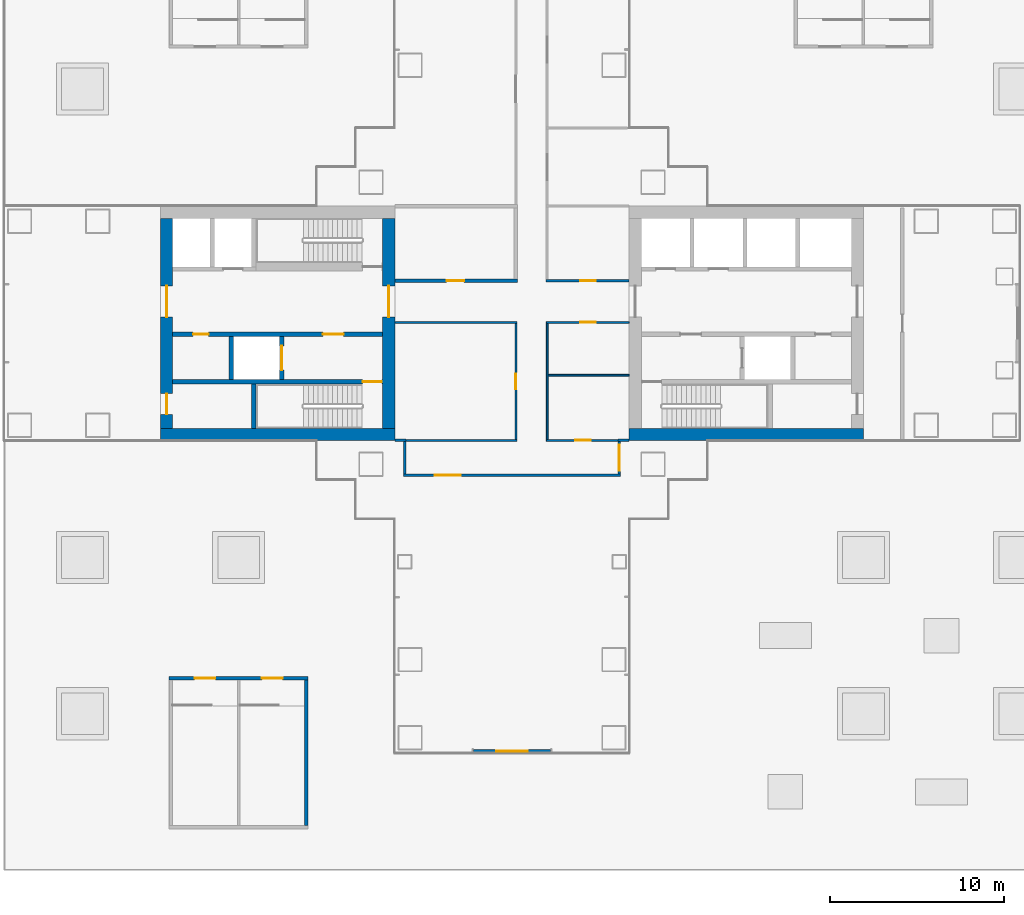
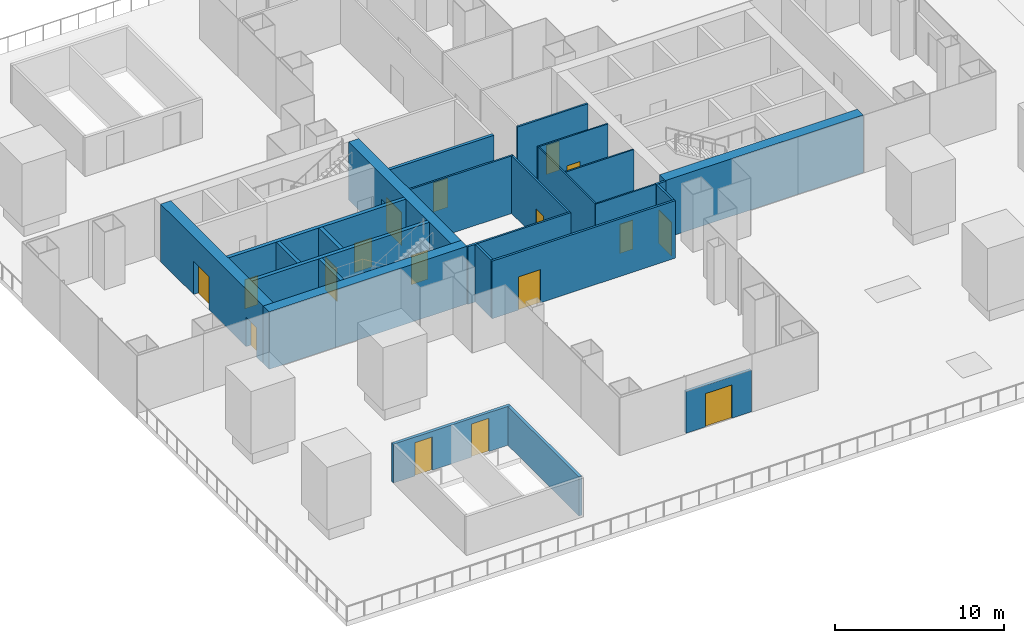
# One storey, part 14 of 23: 26 walls, 17 doors, 17 openings.
"""IFC4 building model written with IfcOpenShell, lengths in metres."""

import ifcopenshell
import ifcopenshell.guid

model = None  # the IFC model being written
_history = None  # IfcOwnerHistory: only IFC2X3 demands one
_inside = {}  # id of a spatial element -> (the spatial element, [elements in it])
_under = {}  # id of a project, library or spatial element -> (it, [spatial elements below it])
_declared = {}  # id of a project -> (the project, [libraries it declares])
_typed = {}  # id of a type object -> (the type object, [elements of that type])
_made_of = {}  # id of a material, layer set ... -> (it, [elements and type objects made of it])


def new_model(schema):
    """Start an empty IFC model of exactly this schema.

    Asked for "IFC4X3", IfcOpenShell would pick the latest addendum, in which some entities
    have other attributes; the version numbers below select the first issue.
    IFC2X3 requires an IfcOwnerHistory on every rooted entity: one is made here for all.
    """
    global model, _history
    if schema == "IFC4X3":
        model = ifcopenshell.file(schema_version=(4, 3, 0, 0))
    else:
        model = ifcopenshell.file(schema=schema)
    _inside.clear()
    _under.clear()
    _declared.clear()
    _typed.clear()
    _made_of.clear()
    _history = None
    if model.schema == "IFC2X3":
        org = make("IfcOrganization", Name="unknown")
        user = make(
            "IfcPersonAndOrganization",
            ThePerson=make("IfcPerson", FamilyName="unknown"),
            TheOrganization=org,
        )
        app = make(
            "IfcApplication",
            ApplicationDeveloper=org,
            Version="unknown",
            ApplicationFullName="unknown",
            ApplicationIdentifier="unknown",
        )
        _history = make(
            "IfcOwnerHistory",
            OwningUser=user,
            OwningApplication=app,
            ChangeAction="ADDED",
            CreationDate=0,
        )
    return model


def make(cls, **values):
    """One entity of the class cls with the attributes given. An attribute that is None is left unset."""
    return model.create_entity(
        cls, **{name: value for name, value in values.items() if value is not None}
    )


def rooted(cls, **values):
    """An entity with a GlobalId (a new one), such as an element, a storey or a relation."""
    return make(cls, GlobalId=ifcopenshell.guid.new(), OwnerHistory=_history, **values)


def si_unit(unit_type, name, prefix=None):
    """IfcSIUnit, for example si_unit("LENGTHUNIT", "METRE", prefix="MILLI")."""
    return make("IfcSIUnit", UnitType=unit_type, Prefix=prefix, Name=name)


def assignment(units):
    """IfcUnitAssignment: the units of a project."""
    return None if units is None else make("IfcUnitAssignment", Units=units)


def point(xyz):
    """IfcCartesianPoint."""
    return None if xyz is None else make("IfcCartesianPoint", Coordinates=xyz)


def direction(xyz):
    """IfcDirection."""
    return None if xyz is None else make("IfcDirection", DirectionRatios=xyz)


def frame(location, z_axis=None, x_axis=None):
    """IfcAxis2Placement3D, a coordinate frame: its origin and axes. An axis left out is left unset."""
    return make(
        "IfcAxis2Placement3D",
        Location=point(location),
        Axis=direction(z_axis),
        RefDirection=direction(x_axis),
    )


def frame_2d(location, x_axis=None):
    """IfcAxis2Placement2D, a coordinate frame in the plane: its origin and x axis."""
    return make(
        "IfcAxis2Placement2D", Location=point(location), RefDirection=direction(x_axis)
    )


def origin():
    """The frame at (0, 0, 0) with its axes left unset."""
    return frame((0.0, 0.0, 0.0))


def place(relative_to, where):
    """IfcLocalPlacement: puts the frame where relative to a parent placement (None: the world)."""
    return make(
        "IfcLocalPlacement", PlacementRelTo=relative_to, RelativePlacement=where
    )


def context(
    kind, dimensions, precision=None, world=None, true_north=None, identifier=None
):
    """IfcGeometricRepresentationContext, for example the 3D "Model" context."""
    return make(
        "IfcGeometricRepresentationContext",
        ContextIdentifier=identifier,
        ContextType=kind,
        CoordinateSpaceDimension=dimensions,
        Precision=precision,
        WorldCoordinateSystem=world,
        TrueNorth=true_north,
    )


def subcontext(parent, identifier, kind, view, scale=None):
    """IfcGeometricRepresentationSubContext, for example "Body" below "Model"."""
    return make(
        "IfcGeometricRepresentationSubContext",
        ContextIdentifier=identifier,
        ContextType=kind,
        ParentContext=parent,
        TargetScale=scale,
        TargetView=view,
    )


def project(units=None, contexts=None):
    """IfcProject with its units and contexts."""
    return rooted(
        "IfcProject",
        Name="project",
        RepresentationContexts=contexts,
        UnitsInContext=assignment(units),
    )


def spatial(cls, under=None, at=None, **own):
    """A site, building, storey or space (cls), placed at a placement, below another one or the project."""
    s = rooted(cls, ObjectPlacement=at, **own)
    if under is not None:
        _under.setdefault(under.id(), (under, []))[1].append(s)
    return s


def profile(cls, at=None, kind="AREA", **sizes):
    """A parametric profile (cls). Its sizes go by their IFC names, for example OverallWidth=200.0."""
    return make(cls, ProfileType=kind, Position=at, **sizes)


def rectangle(**sizes):
    """IfcRectangleProfileDef."""
    return profile("IfcRectangleProfileDef", **sizes)


def extrude(swept, where, along, depth):
    """IfcExtrudedAreaSolid: the profile swept, set in the frame where, extruded along a direction by depth."""
    return make(
        "IfcExtrudedAreaSolid",
        SweptArea=swept,
        Position=where,
        ExtrudedDirection=direction(along),
        Depth=depth,
    )


def shape(context_of_items, identifier, shape_type, items):
    """IfcShapeRepresentation: the items that make up one representation, for example the "Body"."""
    return make(
        "IfcShapeRepresentation",
        ContextOfItems=context_of_items,
        RepresentationIdentifier=identifier,
        RepresentationType=shape_type,
        Items=items,
    )


def material(Name=None, Category=None):
    """IfcMaterial."""
    return make("IfcMaterial", Name=Name, Category=Category)


def layer(
    of_material, thickness, ventilated=None, Name=None, Category=None, Priority=None
):
    """IfcMaterialLayer: one layer of a wall or slab, of a material (None: an air gap)."""
    return make(
        "IfcMaterialLayer",
        Material=of_material,
        LayerThickness=thickness,
        IsVentilated=ventilated,
        Name=Name,
        Category=Category,
        Priority=Priority,
    )


def layer_set(layers, Name=None):
    """IfcMaterialLayerSet."""
    return make("IfcMaterialLayerSet", MaterialLayers=layers, LayerSetName=Name)


def made_of(thing, what):
    """Note that an element or type object is made of a material, layer set ...; save() writes the relation."""
    if what is not None:
        _made_of.setdefault(what.id(), (what, []))[1].append(thing)
    return thing


def type_object(cls, material=None, **own):
    """A type object (cls), such as IfcWallType, which elements share."""
    return made_of(rooted(cls, **own), material)


def element(
    cls,
    number,
    at=None,
    inside=None,
    cuts=None,
    type_object=None,
    material=None,
    context=None,
    identifier="Body",
    shape_type=None,
    held_by="IfcProductDefinitionShape",
    body=None,
    shapes=None,
    **own,
):
    """One element of the class cls, such as IfcWall. Its Tag is "e" and its number.

    at: its placement. inside: the storey or other place that contains it. cuts: it is an
    opening in that element (IfcRelVoidsElement). A single representation is given by context,
    identifier, shape_type and body (its items); several are given by shapes. held_by: the class
    of the entity that holds the representations. save() writes the other relations.
    """
    e = rooted(cls, Tag="e%d" % number, ObjectPlacement=at, **own)
    if body is not None:
        shapes = [shape(context, identifier, shape_type, body)]
    if shapes is not None:
        e.Representation = make(held_by, Representations=shapes)
    if inside is not None:
        _inside.setdefault(inside.id(), (inside, []))[1].append(e)
    if cuts is not None:
        rooted(
            "IfcRelVoidsElement", RelatingBuildingElement=cuts, RelatedOpeningElement=e
        )
    if type_object is not None:
        _typed.setdefault(type_object.id(), (type_object, []))[1].append(e)
    return made_of(e, material)


def fill(opening, filler):
    """IfcRelFillsElement: the door or window that sits in an opening."""
    return rooted(
        "IfcRelFillsElement",
        RelatingOpeningElement=opening,
        RelatedBuildingElement=filler,
    )


def aggregate(whole, parts):
    """IfcRelAggregates: a whole, such as a stair, and the parts it consists of."""
    return rooted("IfcRelAggregates", RelatingObject=whole, RelatedObjects=parts)


def save(model, path):
    """Write the relations noted so far, then the file.

    IfcRelAggregates (storeys below a building ...), IfcRelContainedInSpatialStructure (elements
    in a storey), IfcRelDefinesByType, IfcRelAssociatesMaterial and IfcRelDeclares: one each for
    every whole, place, type object, material and project.
    """
    for whole, parts in _under.values():
        aggregate(whole, parts)
    for where, things in _inside.values():
        rooted(
            "IfcRelContainedInSpatialStructure",
            RelatedElements=things,
            RelatingStructure=where,
        )
    for kind, things in _typed.values():
        rooted("IfcRelDefinesByType", RelatedObjects=things, RelatingType=kind)
    for what, things in _made_of.values():
        rooted("IfcRelAssociatesMaterial", RelatedObjects=things, RelatingMaterial=what)
    for by, libraries in _declared.values():
        rooted("IfcRelDeclares", RelatingContext=by, RelatedDefinitions=libraries)
    model.write(path)


model = new_model("IFC4")

# Units and contexts
model_context = context("Model", 3, precision=1e-05, world=origin(), true_north=direction((0.0, 1.0)))
body_context = subcontext(model_context, "Body", "Model", "MODEL_VIEW")
ifc_project = project(units=[si_unit("LENGTHUNIT", "METRE"), si_unit("AREAUNIT", "SQUARE_METRE"), si_unit("VOLUMEUNIT", "CUBIC_METRE"), si_unit("PLANEANGLEUNIT", "RADIAN"), si_unit("MASSUNIT", "GRAM", prefix="KILO")], contexts=[model_context])

# Site, building, storey
site_placement = place(None, origin())
site = spatial("IfcSite", under=ifc_project, at=site_placement, CompositionType="ELEMENT")
building_placement = place(site_placement, origin())
building = spatial("IfcBuilding", under=site, at=building_placement, Name="Shamsa Quay Exchange Towers", CompositionType="ELEMENT")
storey_placement = place(building_placement, frame((0.0, 0.0, 28.5)))
storey = spatial("IfcBuildingStorey", under=building, at=storey_placement, Name="L05", CompositionType="ELEMENT", Elevation=28.5)

# Walls
ifc_material_1 = material(Name="Concrete C80/95", Category="concrete")
ifc_layer_1 = layer(ifc_material_1, 0.699951171875)
ifc_layer_set_1 = layer_set([ifc_layer_1], Name="CORE WALL 700 C80/95")
wall_type_1 = type_object("IfcWallType", Name="CORE WALL 700 C80/95", PredefinedType="SHEAR", material=ifc_layer_set_1)
wall_1_placement = place(storey_placement, frame((-27.0, -6.39990234375, 0.0)))
element("IfcWall", 1, at=wall_1_placement, inside=storey, type_object=wall_type_1, Name="Core wall T1A-R01-PS", PredefinedType="SHEAR", context=body_context, shape_type="SweptSolid", body=[
    extrude(rectangle(XDim=13.5, YDim=0.699951171875, at=frame_2d((6.75, 0.0))), origin(), (0.0, 0.0, 1.0), 4.14990234375),
])
wall_2_placement = place(storey_placement, frame((-40.5, -6.39990234375, 0.0), z_axis=(0.0, 0.0, 1.0), x_axis=(-1.0, 0.0, 0.0)))
element("IfcWall", 2, at=wall_2_placement, inside=storey, type_object=wall_type_1, Name="Core wall T1B-R01-PS", PredefinedType="SHEAR", context=body_context, shape_type="SweptSolid", body=[
    extrude(rectangle(XDim=13.5, YDim=0.699951171875, at=frame_2d((6.75, 0.0))), origin(), (0.0, 0.0, 1.0), 4.14990234375),
])

# Wall, opening, door
wall_3_placement = place(storey_placement, frame((-40.85009765625, -6.050048828125, 0.0), z_axis=(0.0, 0.0, 1.0), x_axis=(0.0, 1.0, 0.0)))
wall_3 = element("IfcWall", 3, at=wall_3_placement, inside=storey, type_object=wall_type_1, Name="Core wall T1B-R01-PF", PredefinedType="SHEAR", context=body_context, shape_type="SweptSolid", body=[
    extrude(rectangle(XDim=12.10009765625, YDim=0.699951171875, at=frame_2d((6.050048828125, 0.0))), origin(), (0.0, 0.0, 1.0), 4.14990234375),
])
opening_1_placement = place(wall_3_placement, frame((6.39990234375, 0.0, 0.0)))
opening_1 = element("IfcOpeningElement", 4, at=opening_1_placement, cuts=wall_3, Name="Opening T1B-R01-LBD01", PredefinedType="OPENING", context=body_context, shape_type="SweptSolid", body=[
    extrude(rectangle(XDim=1.800048828125, YDim=2.39990234375, at=frame_2d((0.89990234375, 1.199951171875))), frame((0.0, 0.35986328125, 0.0), z_axis=(0.0, -1.0, 0.0), x_axis=(1.0, 0.0, 0.0)), (0.0, 0.0, 1.0), 0.719970703125),
])
ifc_material_2 = material(Name="Steel, fire rated", Category="steel")
door_type_1 = type_object("IfcDoorType", Name="LIFT LOBBY DOOR PAIR 1800", OperationType="DOUBLE_DOOR_SINGLE_SWING", PredefinedType="DOOR", material=ifc_material_2)
door_1_placement = place(opening_1_placement, origin())
door_1 = element("IfcDoor", 5, at=door_1_placement, inside=storey, type_object=door_type_1, Name="T1B-R01-LBD01", OperationType="DOUBLE_DOOR_SINGLE_SWING", OverallHeight=2.39990234375, OverallWidth=1.800048828125, PredefinedType="DOOR", context=body_context, shape_type="SweptSolid", body=[
    extrude(rectangle(XDim=1.800048828125, YDim=2.39990234375, at=frame_2d((0.89990234375, 1.199951171875))), frame((0.0, 0.02490234375, 0.0), z_axis=(0.0, -1.0, 0.0), x_axis=(1.0, 0.0, 0.0)), (0.0, 0.0, 1.0), 0.050048828125),
])
fill(opening_1, door_1)

# Wall, openings, doors
wall_4_placement = place(storey_placement, frame((-53.64990234375, -6.050048828125, 0.0), z_axis=(0.0, 0.0, 1.0), x_axis=(0.0, 1.0, 0.0)))
wall_4 = element("IfcWall", 6, at=wall_4_placement, inside=storey, type_object=wall_type_1, Name="Core wall T1B-R01-PB", PredefinedType="SHEAR", context=body_context, shape_type="SweptSolid", body=[
    extrude(rectangle(XDim=12.10009765625, YDim=0.699951171875, at=frame_2d((6.050048828125, 0.0))), origin(), (0.0, 0.0, 1.0), 4.14990234375),
])
opening_2_placement = place(wall_4_placement, frame((0.800048828125, 0.0, 0.0)))
opening_2 = element("IfcOpeningElement", 7, at=opening_2_placement, cuts=wall_4, Name="Opening T1B-R01-RD02", PredefinedType="OPENING", context=body_context, shape_type="SweptSolid", body=[
    extrude(rectangle(XDim=1.199951171875, YDim=2.10009765625, at=frame_2d((0.60009765625, 1.050048828125))), frame((0.0, 0.35986328125, 0.0), z_axis=(0.0, -1.0, 0.0), x_axis=(1.0, 0.0, 0.0)), (0.0, 0.0, 1.0), 0.719970703125),
])
opening_3_placement = place(wall_4_placement, frame((6.39990234375, 0.0, 0.0)))
opening_3 = element("IfcOpeningElement", 8, at=opening_3_placement, cuts=wall_4, Name="Opening T1B-R01-LBD03", PredefinedType="OPENING", context=body_context, shape_type="SweptSolid", body=[
    extrude(rectangle(XDim=1.800048828125, YDim=2.39990234375, at=frame_2d((0.89990234375, 1.199951171875))), frame((0.0, 0.35986328125, 0.0), z_axis=(0.0, -1.0, 0.0), x_axis=(1.0, 0.0, 0.0)), (0.0, 0.0, 1.0), 0.719970703125),
])
door_2_placement = place(opening_3_placement, origin())
door_2 = element("IfcDoor", 9, at=door_2_placement, inside=storey, type_object=door_type_1, Name="T1B-R01-LBD03", OperationType="DOUBLE_DOOR_SINGLE_SWING", OverallHeight=2.39990234375, OverallWidth=1.800048828125, PredefinedType="DOOR", context=body_context, shape_type="SweptSolid", body=[
    extrude(rectangle(XDim=1.800048828125, YDim=2.39990234375, at=frame_2d((0.89990234375, 1.199951171875))), frame((0.0, 0.02490234375, 0.0), z_axis=(0.0, -1.0, 0.0), x_axis=(1.0, 0.0, 0.0)), (0.0, 0.0, 1.0), 0.050048828125),
])
fill(opening_3, door_2)
door_type_2 = type_object("IfcDoorType", Name="RISER ACCESS DOOR 1200", OperationType="SINGLE_SWING_LEFT", PredefinedType="DOOR", material=ifc_material_2)
door_3_placement = place(opening_2_placement, origin())
door_3 = element("IfcDoor", 10, at=door_3_placement, inside=storey, type_object=door_type_2, Name="T1B-R01-RD02", OperationType="SINGLE_SWING_LEFT", OverallHeight=2.10009765625, OverallWidth=1.199951171875, PredefinedType="DOOR", context=body_context, shape_type="SweptSolid", body=[
    extrude(rectangle(XDim=1.199951171875, YDim=2.10009765625, at=frame_2d((0.60009765625, 1.050048828125))), frame((0.0, 0.02490234375, 0.0), z_axis=(0.0, -1.0, 0.0), x_axis=(1.0, 0.0, 0.0)), (0.0, 0.0, 1.0), 0.050048828125),
])
fill(opening_2, door_3)

# Wall, opening, door
ifc_material_3 = material(Name="Aluminium EN AW-6063 T6, black anodised, with black enamelled glass infill", Category="aluminium")
ifc_layer_2 = layer(ifc_material_3, 0.199951171875)
ifc_layer_set_2 = layer_set([ifc_layer_2], Name="ENTRANCE DOOR BAY WALL 200")
wall_type_2 = type_object("IfcWallType", Name="ENTRANCE DOOR BAY WALL 200", PredefinedType="SOLIDWALL", material=ifc_layer_set_2)
wall_5_placement = place(storey_placement, frame((-31.530029296875, -24.64990234375, 0.0), z_axis=(0.0, 0.0, 1.0), x_axis=(-1.0, 0.0, 0.0)))
wall_5 = element("IfcWall", 11, at=wall_5_placement, inside=storey, type_object=wall_type_2, Name="Entrance bay T1 L05 T1-END-V- bay 2", PredefinedType="SOLIDWALL", context=body_context, shape_type="SweptSolid", body=[
    extrude(rectangle(XDim=4.43994140625, YDim=0.199951171875, at=frame_2d((2.219970703125, 0.0))), origin(), (0.0, 0.0, 1.0), 3.0),
])
opening_4_placement = place(wall_5_placement, frame((1.320068359375, 0.0, 0.0)))
opening_4 = element("IfcOpeningElement", 12, at=opening_4_placement, cuts=wall_5, Name="Opening XD037", PredefinedType="OPENING", context=body_context, shape_type="SweptSolid", body=[
    extrude(rectangle(XDim=1.800048828125, YDim=2.39990234375, at=frame_2d((0.89990234375, 1.199951171875))), frame((0.0, 0.10986328125, 0.0), z_axis=(0.0, -1.0, 0.0), x_axis=(1.0, 0.0, 0.0)), (0.0, 0.0, 1.0), 0.219970703125),
])
ifc_material_4 = material(Name="Aluminium EN AW-6063 T6, black anodised, with laminated glass leaves", Category="aluminium")
door_type_3 = type_object("IfcDoorType", Name="TERRACE DOOR 1800x2400", OperationType="DOUBLE_DOOR_SINGLE_SWING", PredefinedType="DOOR", material=ifc_material_4)
door_4_placement = place(opening_4_placement, origin())
door_4 = element("IfcDoor", 13, at=door_4_placement, inside=storey, type_object=door_type_3, Name="Terrace door T1 L05 T1-END-V- bay 2", OperationType="DOUBLE_DOOR_SINGLE_SWING", OverallHeight=2.39990234375, OverallWidth=1.800048828125, PredefinedType="DOOR", context=body_context, shape_type="SweptSolid", body=[
    extrude(rectangle(XDim=1.800048828125, YDim=2.39990234375, at=frame_2d((0.89990234375, 1.199951171875))), frame((0.0, 0.02490234375, 0.0), z_axis=(0.0, -1.0, 0.0), x_axis=(1.0, 0.0, 0.0)), (0.0, 0.0, 1.0), 0.050048828125),
])
fill(opening_4, door_4)

ifc_material_5 = material(Name="Laminated fire-resisting glass in a metal frame", Category="glass")
ifc_layer_3 = layer(ifc_material_5, 0.125)
ifc_layer_set_3 = layer_set([ifc_layer_3], Name="Glazed partition 125 mm EI 60")
wall_type_3 = type_object("IfcWallType", Name="Glazed partition 125 mm EI 60", PredefinedType="PARTITIONING", material=ifc_layer_set_3)
wall_6_placement = place(storey_placement, frame((-31.787109375, 2.4501953125, 0.0)))
wall_6 = element("IfcWall", 14, at=wall_6_placement, inside=storey, type_object=wall_type_3, Name="Partition T1-R01-W03", PredefinedType="PARTITIONING", context=body_context, shape_type="SweptSolid", body=[
    extrude(rectangle(XDim=4.787109375, YDim=0.125, at=frame_2d((2.3935546875, 0.0))), origin(), (0.0, 0.0, 1.0), 4.14990234375),
])
opening_5_placement = place(wall_6_placement, frame((1.974853515625, 0.0, 0.0)))
opening_5 = element("IfcOpeningElement", 15, at=opening_5_placement, cuts=wall_6, Name="Opening T1-R01-D07", PredefinedType="OPENING", context=body_context, shape_type="SweptSolid", body=[
    extrude(rectangle(XDim=0.89990234375, YDim=2.10009765625, at=frame_2d((0.449951171875, 1.050048828125))), frame((0.0, 0.072509765625, 0.0), z_axis=(0.0, -1.0, 0.0), x_axis=(1.0, 0.0, 0.0)), (0.0, 0.0, 1.0), 0.14501953125),
])
ifc_material_6 = material(Name="Timber door leaf in a metal frame", Category="wood")
door_type_4 = type_object("IfcDoorType", Name="Door 900x2100 FD30S", OperationType="NOTDEFINED", PredefinedType="DOOR", material=ifc_material_6)
door_5_placement = place(opening_5_placement, origin())
door_5 = element("IfcDoor", 16, at=door_5_placement, inside=storey, type_object=door_type_4, Name="Door T1-R01-D07", OperationType="SINGLE_SWING_LEFT", OverallHeight=2.10009765625, OverallWidth=0.89990234375, PredefinedType="DOOR", context=body_context, shape_type="SweptSolid", body=[
    extrude(rectangle(XDim=0.89990234375, YDim=2.10009765625, at=frame_2d((0.449951171875, 1.050048828125))), frame((0.0, 0.02490234375, 0.0), z_axis=(0.0, -1.0, 0.0), x_axis=(1.0, 0.0, 0.0)), (0.0, 0.0, 1.0), 0.050048828125),
])
fill(opening_5, door_5)

# Wall
wall_7_placement = place(storey_placement, frame((-39.999755859375, -6.75, 0.0)))
element("IfcWall", 17, at=wall_7_placement, inside=storey, type_object=wall_type_3, Name="Partition T1-R01-W09", PredefinedType="PARTITIONING", context=body_context, shape_type="SweptSolid", body=[
    extrude(rectangle(XDim=6.536865234375, YDim=0.125, at=frame_2d((3.2685546875, 0.0))), origin(), (0.0, 0.0, 1.0), 4.14990234375),
])

# Wall, opening, door
wall_8_placement = place(storey_placement, frame((-33.525390625, -6.6875, 0.0), z_axis=(0.0, 0.0, 1.0), x_axis=(0.0, 1.0, 0.0)))
wall_8 = element("IfcWall", 18, at=wall_8_placement, inside=storey, type_object=wall_type_3, Name="Partition T1-R01-W10", PredefinedType="PARTITIONING", context=body_context, shape_type="SweptSolid", body=[
    extrude(rectangle(XDim=6.6748046875, YDim=0.125, at=frame_2d((3.33740234375, 0.0))), origin(), (0.0, 0.0, 1.0), 4.14990234375),
])
opening_6_placement = place(wall_8_placement, frame((2.887451171875, 0.0, 0.0)))
opening_6 = element("IfcOpeningElement", 19, at=opening_6_placement, cuts=wall_8, Name="Opening T1-R01-D03", PredefinedType="OPENING", context=body_context, shape_type="SweptSolid", body=[
    extrude(rectangle(XDim=0.89990234375, YDim=2.10009765625, at=frame_2d((0.449951171875, 1.050048828125))), frame((0.0, 0.072509765625, 0.0), z_axis=(0.0, -1.0, 0.0), x_axis=(1.0, 0.0, 0.0)), (0.0, 0.0, 1.0), 0.14501953125),
])
door_6_placement = place(opening_6_placement, origin())
door_6 = element("IfcDoor", 20, at=door_6_placement, inside=storey, type_object=door_type_4, Name="Door T1-R01-D03", OperationType="SINGLE_SWING_RIGHT", OverallHeight=2.10009765625, OverallWidth=0.89990234375, PredefinedType="DOOR", context=body_context, shape_type="SweptSolid", body=[
    extrude(rectangle(XDim=0.89990234375, YDim=2.10009765625, at=frame_2d((0.449951171875, 1.050048828125))), frame((0.0, 0.02490234375, 0.0), z_axis=(0.0, -1.0, 0.0), x_axis=(1.0, 0.0, 0.0)), (0.0, 0.0, 1.0), 0.050048828125),
])
fill(opening_6, door_6)

# Walls
wall_9_placement = place(storey_placement, frame((-33.462890625, 0.0498046875, 0.0), z_axis=(0.0, 0.0, 1.0), x_axis=(-1.0, 0.0, 0.0)))
element("IfcWall", 21, at=wall_9_placement, inside=storey, type_object=wall_type_3, Name="Partition T1-R01-W12", PredefinedType="PARTITIONING", context=body_context, shape_type="SweptSolid", body=[
    extrude(rectangle(XDim=7.037109375, YDim=0.125, at=frame_2d((3.5185546875, 0.0))), origin(), (0.0, 0.0, 1.0), 4.14990234375),
])
ifc_material_7 = material(Name="Gypsum board partition on metal studs")
ifc_layer_4 = layer(ifc_material_7, 0.10009765625)
ifc_layer_set_4 = layer_set([ifc_layer_4], Name="Partition 100 mm NOT RATED")
wall_type_4 = type_object("IfcWallType", Name="Partition 100 mm NOT RATED", PredefinedType="PARTITIONING", material=ifc_layer_set_4)
wall_10_placement = place(storey_placement, frame((-31.724609375, -0.000244140625, 0.0), z_axis=(0.0, 0.0, 1.0), x_axis=(0.0, -1.0, 0.0)))
element("IfcWall", 22, at=wall_10_placement, inside=storey, type_object=wall_type_4, Name="Partition T1-R01-W04", PredefinedType="PARTITIONING", context=body_context, shape_type="SweptSolid", body=[
    extrude(rectangle(XDim=6.69970703125, YDim=0.10009765625, at=frame_2d((3.349853515625, 0.0))), origin(), (0.0, 0.0, 1.0), 4.14990234375),
])

# Wall, opening, door
wall_11_placement = place(storey_placement, frame((-31.774658203125, -6.75, 0.0)))
wall_11 = element("IfcWall", 23, at=wall_11_placement, inside=storey, type_object=wall_type_4, Name="Partition T1-R01-W05", PredefinedType="PARTITIONING", context=body_context, shape_type="SweptSolid", body=[
    extrude(rectangle(XDim=4.2744140625, YDim=0.10009765625, at=frame_2d((2.13720703125, 0.0))), origin(), (0.0, 0.0, 1.0), 4.14990234375),
])
opening_7_placement = place(wall_11_placement, frame((1.6748046875, 0.0, 0.0)))
opening_7 = element("IfcOpeningElement", 24, at=opening_7_placement, cuts=wall_11, Name="Opening T1-R01-D06", PredefinedType="OPENING", context=body_context, shape_type="SweptSolid", body=[
    extrude(rectangle(XDim=0.89990234375, YDim=2.10009765625, at=frame_2d((0.449951171875, 1.050048828125))), frame((0.0, 0.06005859375, 0.0), z_axis=(0.0, -1.0, 0.0), x_axis=(1.0, 0.0, 0.0)), (0.0, 0.0, 1.0), 0.1201171875),
])
door_type_5 = type_object("IfcDoorType", Name="Door 900x2100 NOT RATED", OperationType="NOTDEFINED", PredefinedType="DOOR", material=ifc_material_6)
door_7_placement = place(opening_7_placement, origin())
door_7 = element("IfcDoor", 25, at=door_7_placement, inside=storey, type_object=door_type_5, Name="Door T1-R01-D06", OperationType="SINGLE_SWING_RIGHT", OverallHeight=2.10009765625, OverallWidth=0.89990234375, PredefinedType="DOOR", context=body_context, shape_type="SweptSolid", body=[
    extrude(rectangle(XDim=0.89990234375, YDim=2.10009765625, at=frame_2d((0.449951171875, 1.050048828125))), frame((0.0, 0.02490234375, 0.0), z_axis=(0.0, -1.0, 0.0), x_axis=(1.0, 0.0, 0.0)), (0.0, 0.0, 1.0), 0.050048828125),
])
fill(opening_7, door_7)

wall_12_placement = place(storey_placement, frame((-27.0, 0.0498046875, 0.0), z_axis=(0.0, 0.0, 1.0), x_axis=(-1.0, 0.0, 0.0)))
wall_12 = element("IfcWall", 26, at=wall_12_placement, inside=storey, type_object=wall_type_4, Name="Partition T1-R01-W06", PredefinedType="PARTITIONING", context=body_context, shape_type="SweptSolid", body=[
    extrude(rectangle(XDim=4.774658203125, YDim=0.10009765625, at=frame_2d((2.38720703125, 0.0))), origin(), (0.0, 0.0, 1.0), 4.14990234375),
])
opening_8_placement = place(wall_12_placement, frame((1.912353515625, 0.0, 0.0)))
opening_8 = element("IfcOpeningElement", 27, at=opening_8_placement, cuts=wall_12, Name="Opening T1-R01-D11", PredefinedType="OPENING", context=body_context, shape_type="SweptSolid", body=[
    extrude(rectangle(XDim=0.89990234375, YDim=2.10009765625, at=frame_2d((0.449951171875, 1.050048828125))), frame((0.0, 0.06005859375, 0.0), z_axis=(0.0, -1.0, 0.0), x_axis=(1.0, 0.0, 0.0)), (0.0, 0.0, 1.0), 0.1201171875),
])
door_8_placement = place(opening_8_placement, origin())
door_8 = element("IfcDoor", 28, at=door_8_placement, inside=storey, type_object=door_type_5, Name="Door T1-R01-D11", OperationType="SINGLE_SWING_LEFT", OverallHeight=2.10009765625, OverallWidth=0.89990234375, PredefinedType="DOOR", context=body_context, shape_type="SweptSolid", body=[
    extrude(rectangle(XDim=0.89990234375, YDim=2.10009765625, at=frame_2d((0.449951171875, 1.050048828125))), frame((0.0, 0.02490234375, 0.0), z_axis=(0.0, -1.0, 0.0), x_axis=(1.0, 0.0, 0.0)), (0.0, 0.0, 1.0), 0.050048828125),
])
fill(opening_8, door_8)

# Wall
wall_13_placement = place(storey_placement, frame((-27.0, -3.0, 0.0), z_axis=(0.0, 0.0, 1.0), x_axis=(-1.0, 0.0, 0.0)))
element("IfcWall", 29, at=wall_13_placement, inside=storey, type_object=wall_type_4, Name="Partition T1-R01-W20", PredefinedType="PARTITIONING", context=body_context, shape_type="SweptSolid", body=[
    extrude(rectangle(XDim=4.674560546875, YDim=0.10009765625, at=frame_2d((2.33740234375, 0.0))), origin(), (0.0, 0.0, 1.0), 4.14990234375),
])

# Wall, opening, door
ifc_layer_5 = layer(ifc_material_7, 0.14990234375)
ifc_layer_set_5 = layer_set([ifc_layer_5], Name="Partition 150 mm EI 60")
wall_type_5 = type_object("IfcWallType", Name="Partition 150 mm EI 60", PredefinedType="PARTITIONING", material=ifc_layer_set_5)
wall_14_placement = place(storey_placement, frame((-27.5751953125, -8.675048828125, 0.0), z_axis=(0.0, 0.0, 1.0), x_axis=(0.0, 1.0, 0.0)))
wall_14 = element("IfcWall", 30, at=wall_14_placement, inside=storey, type_object=wall_type_5, Name="Partition T1-R01-W15", PredefinedType="PARTITIONING", context=body_context, shape_type="SweptSolid", body=[
    extrude(rectangle(XDim=1.85009765625, YDim=0.14990234375, at=frame_2d((0.925048828125, 0.0))), origin(), (0.0, 0.0, 1.0), 4.14990234375),
])
opening_9_placement = place(wall_14_placement, frame((0.175048828125, 0.0, 0.0)))
opening_9 = element("IfcOpeningElement", 31, at=opening_9_placement, cuts=wall_14, Name="Opening T1-R01-D10", PredefinedType="OPENING", context=body_context, shape_type="SweptSolid", body=[
    extrude(rectangle(XDim=1.5, YDim=2.39990234375, at=frame_2d((0.75, 1.199951171875))), frame((0.0, 0.0849609375, 0.0), z_axis=(0.0, -1.0, 0.0), x_axis=(1.0, 0.0, 0.0)), (0.0, 0.0, 1.0), 0.169921875),
])
door_type_6 = type_object("IfcDoorType", Name="Door 1500x2400 FD30S pair", OperationType="NOTDEFINED", PredefinedType="DOOR", material=ifc_material_6)
door_9_placement = place(opening_9_placement, origin())
door_9 = element("IfcDoor", 32, at=door_9_placement, inside=storey, type_object=door_type_6, Name="Door T1-R01-D10", OperationType="DOUBLE_DOOR_SINGLE_SWING", OverallHeight=2.39990234375, OverallWidth=1.5, PredefinedType="DOOR", context=body_context, shape_type="SweptSolid", body=[
    extrude(rectangle(XDim=1.5, YDim=2.39990234375, at=frame_2d((0.75, 1.199951171875))), frame((0.0, 0.02490234375, 0.0), z_axis=(0.0, -1.0, 0.0), x_axis=(1.0, 0.0, 0.0)), (0.0, 0.0, 1.0), 0.050048828125),
])
fill(opening_9, door_9)

wall_15_placement = place(storey_placement, frame((-39.999755859375, -8.75, 0.0)))
wall_15 = element("IfcWall", 33, at=wall_15_placement, inside=storey, type_object=wall_type_5, Name="Partition T1-R01-W16", PredefinedType="PARTITIONING", context=body_context, shape_type="SweptSolid", body=[
    extrude(rectangle(XDim=12.49951171875, YDim=0.14990234375, at=frame_2d((6.249755859375, 0.0))), origin(), (0.0, 0.0, 1.0), 4.14990234375),
])
opening_10_placement = place(wall_15_placement, frame((1.794921875, 0.0, 0.0)))
opening_10 = element("IfcOpeningElement", 34, at=opening_10_placement, cuts=wall_15, Name="Opening T1-R01-D02", PredefinedType="OPENING", context=body_context, shape_type="SweptSolid", body=[
    extrude(rectangle(XDim=1.5, YDim=2.39990234375, at=frame_2d((0.75, 1.199951171875))), frame((0.0, 0.0849609375, 0.0), z_axis=(0.0, -1.0, 0.0), x_axis=(1.0, 0.0, 0.0)), (0.0, 0.0, 1.0), 0.169921875),
])
door_10_placement = place(opening_10_placement, origin())
door_10 = element("IfcDoor", 35, at=door_10_placement, inside=storey, type_object=door_type_6, Name="Door T1-R01-D02", OperationType="DOUBLE_DOOR_SINGLE_SWING", OverallHeight=2.39990234375, OverallWidth=1.5, PredefinedType="DOOR", context=body_context, shape_type="SweptSolid", body=[
    extrude(rectangle(XDim=1.5, YDim=2.39990234375, at=frame_2d((0.75, 1.199951171875))), frame((0.0, 0.02490234375, 0.0), z_axis=(0.0, -1.0, 0.0), x_axis=(1.0, 0.0, 0.0)), (0.0, 0.0, 1.0), 0.050048828125),
])
fill(opening_10, door_10)

# Walls
wall_16_placement = place(storey_placement, frame((-39.9248046875, -6.824951171875, 0.0), z_axis=(0.0, 0.0, 1.0), x_axis=(0.0, -1.0, 0.0)))
element("IfcWall", 36, at=wall_16_placement, inside=storey, type_object=wall_type_5, Name="Partition T1-R01-W17", PredefinedType="PARTITIONING", context=body_context, shape_type="SweptSolid", body=[
    extrude(rectangle(XDim=1.85009765625, YDim=0.14990234375, at=frame_2d((0.925048828125, 0.0))), origin(), (0.0, 0.0, 1.0), 4.14990234375),
])
for number, where, name in (
    (37, (-40.5, -6.75, 0.0), "Partition T1-R01-W21"),
    (38, (-27.650146484375, -6.75, 0.0), "Partition T1-R01-W22"),
):
    element("IfcWall", number, at=place(storey_placement, frame(where)), inside=storey, type_object=wall_type_5, Name=name, PredefinedType="PARTITIONING", context=body_context, shape_type="SweptSolid", body=[
        extrude(rectangle(XDim=0.650146484375, YDim=0.14990234375, at=frame_2d((0.3251953125, 0.0))), origin(), (0.0, 0.0, 1.0), 4.14990234375),
    ])

# Wall, opening, door
ifc_layer_6 = layer(ifc_material_7, 0.199951171875)
ifc_layer_set_6 = layer_set([ifc_layer_6], Name="Partition 200 mm EI 120")
wall_type_6 = type_object("IfcWallType", Name="Partition 200 mm EI 120", PredefinedType="PARTITIONING", material=ifc_layer_set_6)
wall_17_placement = place(storey_placement, frame((-40.5, 2.4501953125, 0.0)))
wall_17 = element("IfcWall", 39, at=wall_17_placement, inside=storey, type_object=wall_type_6, Name="Partition T1-R01-W07", PredefinedType="PARTITIONING", context=body_context, shape_type="SweptSolid", body=[
    extrude(rectangle(XDim=7.07470703125, YDim=0.199951171875, at=frame_2d((3.537353515625, 0.0))), origin(), (0.0, 0.0, 1.0), 4.14990234375),
])
opening_11_placement = place(wall_17_placement, frame((2.9873046875, 0.0, 0.0)))
opening_11 = element("IfcOpeningElement", 40, at=opening_11_placement, cuts=wall_17, Name="Opening T1-R01-D01", PredefinedType="OPENING", context=body_context, shape_type="SweptSolid", body=[
    extrude(rectangle(XDim=1.0, YDim=2.10009765625, at=frame_2d((0.5, 1.050048828125))), frame((0.0, 0.10986328125, 0.0), z_axis=(0.0, -1.0, 0.0), x_axis=(1.0, 0.0, 0.0)), (0.0, 0.0, 1.0), 0.219970703125),
])
door_type_7 = type_object("IfcDoorType", Name="Door 1000x2100 FD60", OperationType="NOTDEFINED", PredefinedType="DOOR", material=ifc_material_6)
door_11_placement = place(opening_11_placement, origin())
door_11 = element("IfcDoor", 41, at=door_11_placement, inside=storey, type_object=door_type_7, Name="Door T1-R01-D01", OperationType="SINGLE_SWING_LEFT", OverallHeight=2.10009765625, OverallWidth=1.0, PredefinedType="DOOR", context=body_context, shape_type="SweptSolid", body=[
    extrude(rectangle(XDim=1.0, YDim=2.10009765625, at=frame_2d((0.5, 1.050048828125))), frame((0.0, 0.02490234375, 0.0), z_axis=(0.0, -1.0, 0.0), x_axis=(1.0, 0.0, 0.0)), (0.0, 0.0, 1.0), 0.050048828125),
])
fill(opening_11, door_11)

ifc_material_8 = material(Name="Concrete C50/60", Category="concrete")
ifc_layer_7 = layer(ifc_material_8, 0.25)
ifc_layer_set_7 = layer_set([ifc_layer_7], Name="SHAFT WALL 250 C50/60")
wall_type_7 = type_object("IfcWallType", Name="SHAFT WALL 250 C50/60", PredefinedType="SHEAR", material=ifc_layer_set_7)
wall_18_placement = place(storey_placement, frame((-41.199951171875, -3.375, 0.0), z_axis=(0.0, 0.0, 1.0), x_axis=(-1.0, 0.0, 0.0)))
wall_18 = element("IfcWall", 42, at=wall_18_placement, inside=storey, type_object=wall_type_7, Name="Shaft wall T1B-R01-STL", PredefinedType="SHEAR", context=body_context, shape_type="SweptSolid", body=[
    extrude(rectangle(XDim=12.10009765625, YDim=0.25, at=frame_2d((6.050048828125, 0.0))), origin(), (0.0, 0.0, 1.0), 4.14990234375),
])
opening_12_placement = place(wall_18_placement, frame((0.050048828125, 0.0, 0.0)))
opening_12 = element("IfcOpeningElement", 43, at=opening_12_placement, cuts=wall_18, Name="Opening T1B-R01-SD04", PredefinedType="OPENING", context=body_context, shape_type="SweptSolid", body=[
    extrude(rectangle(XDim=1.10009765625, YDim=2.10009765625, at=frame_2d((0.550048828125, 1.050048828125))), frame((0.0, 0.135009765625, 0.0), z_axis=(0.0, -1.0, 0.0), x_axis=(1.0, 0.0, 0.0)), (0.0, 0.0, 1.0), 0.27001953125),
])
door_type_8 = type_object("IfcDoorType", Name="STAIR DOOR 1100", OperationType="SINGLE_SWING_LEFT", PredefinedType="DOOR", material=ifc_material_2)
door_12_placement = place(opening_12_placement, origin())
door_12 = element("IfcDoor", 44, at=door_12_placement, inside=storey, type_object=door_type_8, Name="T1B-R01-SD04", OperationType="SINGLE_SWING_LEFT", OverallHeight=2.10009765625, OverallWidth=1.10009765625, PredefinedType="DOOR", context=body_context, shape_type="SweptSolid", body=[
    extrude(rectangle(XDim=1.10009765625, YDim=2.10009765625, at=frame_2d((0.550048828125, 1.050048828125))), frame((0.0, 0.02490234375, 0.0), z_axis=(0.0, -1.0, 0.0), x_axis=(1.0, 0.0, 0.0)), (0.0, 0.0, 1.0), 0.050048828125),
])
fill(opening_12, door_12)

# Wall
wall_19_placement = place(storey_placement, frame((-48.625, -6.050048828125, 0.0), z_axis=(0.0, 0.0, 1.0), x_axis=(0.0, 1.0, 0.0)))
element("IfcWall", 45, at=wall_19_placement, inside=storey, type_object=wall_type_7, Name="Shaft wall T1B-R01-STF", PredefinedType="SHEAR", context=body_context, shape_type="SweptSolid", body=[
    extrude(rectangle(XDim=2.550048828125, YDim=0.25, at=frame_2d((1.27490234375, 0.0))), origin(), (0.0, 0.0, 1.0), 4.14990234375),
])

# Wall, openings, doors
wall_20_placement = place(storey_placement, frame((-41.199951171875, -0.625, 0.0), z_axis=(0.0, 0.0, 1.0), x_axis=(-1.0, 0.0, 0.0)))
wall_20 = element("IfcWall", 46, at=wall_20_placement, inside=storey, type_object=wall_type_7, Name="Shaft wall T1B-R01-B", PredefinedType="SHEAR", context=body_context, shape_type="SweptSolid", body=[
    extrude(rectangle(XDim=12.10009765625, YDim=0.25, at=frame_2d((6.050048828125, 0.0))), origin(), (0.0, 0.0, 1.0), 4.14990234375),
])
opening_13_placement = place(wall_20_placement, frame((2.25, 0.0, 0.0)))
opening_13 = element("IfcOpeningElement", 47, at=opening_13_placement, cuts=wall_20, Name="Opening T1B-R01-FD05", PredefinedType="OPENING", context=body_context, shape_type="SweptSolid", body=[
    extrude(rectangle(XDim=1.199951171875, YDim=2.10009765625, at=frame_2d((0.60009765625, 1.050048828125))), frame((0.0, 0.135009765625, 0.0), z_axis=(0.0, -1.0, 0.0), x_axis=(1.0, 0.0, 0.0)), (0.0, 0.0, 1.0), 0.27001953125),
])
opening_14_placement = place(wall_20_placement, frame((10.02490234375, 0.0, 0.0)))
opening_14 = element("IfcOpeningElement", 48, at=opening_14_placement, cuts=wall_20, Name="Opening T1B-R01-SV06", PredefinedType="OPENING", context=body_context, shape_type="SweptSolid", body=[
    extrude(rectangle(XDim=0.89990234375, YDim=2.10009765625, at=frame_2d((0.449951171875, 1.050048828125))), frame((0.0, 0.135009765625, 0.0), z_axis=(0.0, -1.0, 0.0), x_axis=(1.0, 0.0, 0.0)), (0.0, 0.0, 1.0), 0.27001953125),
])
door_type_9 = type_object("IfcDoorType", Name="FIRE SERVICE LOBBY DOOR 1200", OperationType="SINGLE_SWING_LEFT", PredefinedType="DOOR", material=ifc_material_2)
door_13_placement = place(opening_13_placement, origin())
door_13 = element("IfcDoor", 49, at=door_13_placement, inside=storey, type_object=door_type_9, Name="T1B-R01-FD05", OperationType="SINGLE_SWING_LEFT", OverallHeight=2.10009765625, OverallWidth=1.199951171875, PredefinedType="DOOR", context=body_context, shape_type="SweptSolid", body=[
    extrude(rectangle(XDim=1.199951171875, YDim=2.10009765625, at=frame_2d((0.60009765625, 1.050048828125))), frame((0.0, 0.02490234375, 0.0), z_axis=(0.0, -1.0, 0.0), x_axis=(1.0, 0.0, 0.0)), (0.0, 0.0, 1.0), 0.050048828125),
])
fill(opening_13, door_13)
door_type_10 = type_object("IfcDoorType", Name="SERVICE ROOM DOOR 900", OperationType="SINGLE_SWING_LEFT", PredefinedType="DOOR", material=ifc_material_2)
door_14_placement = place(opening_14_placement, origin())
door_14 = element("IfcDoor", 50, at=door_14_placement, inside=storey, type_object=door_type_10, Name="T1B-R01-SV06", OperationType="SINGLE_SWING_RIGHT", OverallHeight=2.10009765625, OverallWidth=0.89990234375, PredefinedType="DOOR", context=body_context, shape_type="SweptSolid", body=[
    extrude(rectangle(XDim=0.89990234375, YDim=2.10009765625, at=frame_2d((0.449951171875, 1.050048828125))), frame((0.0, 0.02490234375, 0.0), z_axis=(0.0, -1.0, 0.0), x_axis=(1.0, 0.0, 0.0)), (0.0, 0.0, 1.0), 0.050048828125),
])
fill(opening_14, door_14)

# Wall, opening, door
wall_21_placement = place(storey_placement, frame((-47.02490234375, -3.25, 0.0), z_axis=(0.0, 0.0, 1.0), x_axis=(0.0, 1.0, 0.0)))
wall_21 = element("IfcWall", 51, at=wall_21_placement, inside=storey, type_object=wall_type_7, Name="Shaft wall T1B-R01-FFF", PredefinedType="SHEAR", context=body_context, shape_type="SweptSolid", body=[
    extrude(rectangle(XDim=2.5, YDim=0.25, at=frame_2d((1.25, 0.0))), origin(), (0.0, 0.0, 1.0), 4.14990234375),
])
opening_15_placement = place(wall_21_placement, frame((0.550048828125, 0.0, 0.0)))
opening_15 = element("IfcOpeningElement", 52, at=opening_15_placement, cuts=wall_21, Name="Opening T1B-R01-LDG07", PredefinedType="OPENING", context=body_context, shape_type="SweptSolid", body=[
    extrude(rectangle(XDim=1.39990234375, YDim=2.39990234375, at=frame_2d((0.699951171875, 1.199951171875))), frame((0.0, 0.135009765625, 0.0), z_axis=(0.0, -1.0, 0.0), x_axis=(1.0, 0.0, 0.0)), (0.0, 0.0, 1.0), 0.27001953125),
])
door_type_11 = type_object("IfcDoorType", Name="GOODS LIFT LANDING DOOR 1400", OperationType="SLIDING_TO_LEFT", PredefinedType="DOOR", material=ifc_material_2)
door_15_placement = place(opening_15_placement, origin())
door_15 = element("IfcDoor", 53, at=door_15_placement, inside=storey, type_object=door_type_11, Name="T1B-R01-LDG07", OperationType="SLIDING_TO_LEFT", OverallHeight=2.39990234375, OverallWidth=1.39990234375, PredefinedType="DOOR", context=body_context, shape_type="SweptSolid", body=[
    extrude(rectangle(XDim=1.39990234375, YDim=2.39990234375, at=frame_2d((0.699951171875, 1.199951171875))), frame((0.0, 0.02490234375, 0.0), z_axis=(0.0, -1.0, 0.0), x_axis=(1.0, 0.0, 0.0)), (0.0, 0.0, 1.0), 0.050048828125),
])
fill(opening_15, door_15)

# Wall
wall_22_placement = place(storey_placement, frame((-49.925048828125, -3.25, 0.0), z_axis=(0.0, 0.0, 1.0), x_axis=(0.0, 1.0, 0.0)))
element("IfcWall", 54, at=wall_22_placement, inside=storey, type_object=wall_type_7, Name="Shaft wall T1B-R01-FFB", PredefinedType="SHEAR", context=body_context, shape_type="SweptSolid", body=[
    extrude(rectangle(XDim=2.5, YDim=0.25, at=frame_2d((1.25, 0.0))), origin(), (0.0, 0.0, 1.0), 4.14990234375),
])

# Wall, openings, doors
ifc_layer_8 = layer(ifc_material_8, 0.199951171875)
ifc_layer_set_8 = layer_set([ifc_layer_8], Name="STAIR ENCLOSURE WALL 200 C50/60")
wall_type_8 = type_object("IfcWallType", Name="STAIR ENCLOSURE WALL 200 C50/60", PredefinedType="SHEAR", material=ifc_layer_set_8)
wall_23_placement = place(storey_placement, frame((-45.5, -20.449951171875, 0.0), z_axis=(0.0, 0.0, 1.0), x_axis=(-1.0, 0.0, 0.0)))
wall_23 = element("IfcWall", 55, at=wall_23_placement, inside=storey, type_object=wall_type_8, Name="Stair enclosure wall PS5 inward", PredefinedType="SHEAR", context=body_context, shape_type="SweptSolid", body=[
    extrude(rectangle(XDim=8.0, YDim=0.199951171875, at=frame_2d((4.0, 0.0))), origin(), (0.0, 0.0, 1.0), 2.800048828125),
])
opening_16_placement = place(wall_23_placement, frame((5.33740234375, 0.0, 0.0)))
opening_16 = element("IfcOpeningElement", 56, at=opening_16_placement, cuts=wall_23, Name="Opening PS5A-L05-SD01", PredefinedType="OPENING", context=body_context, shape_type="SweptSolid", body=[
    extrude(rectangle(XDim=1.199951171875, YDim=2.39990234375, at=frame_2d((0.60009765625, 1.199951171875))), frame((0.0, 0.10986328125, 0.0), z_axis=(0.0, -1.0, 0.0), x_axis=(1.0, 0.0, 0.0)), (0.0, 0.0, 1.0), 0.219970703125),
])
opening_17_placement = place(wall_23_placement, frame((1.46240234375, 0.0, 0.0)))
opening_17 = element("IfcOpeningElement", 57, at=opening_17_placement, cuts=wall_23, Name="Opening PS5B-L05-SD01", PredefinedType="OPENING", context=body_context, shape_type="SweptSolid", body=[
    extrude(rectangle(XDim=1.199951171875, YDim=2.39990234375, at=frame_2d((0.60009765625, 1.199951171875))), frame((0.0, 0.10986328125, 0.0), z_axis=(0.0, -1.0, 0.0), x_axis=(1.0, 0.0, 0.0)), (0.0, 0.0, 1.0), 0.219970703125),
])
door_type_12 = type_object("IfcDoorType", Name="PODIUM STAIR DOOR 1200", OperationType="SINGLE_SWING_LEFT", PredefinedType="DOOR", material=ifc_material_2)
door_16_placement = place(opening_16_placement, origin())
door_16 = element("IfcDoor", 58, at=door_16_placement, inside=storey, type_object=door_type_12, Name="PS5A-L05-SD01", OperationType="SINGLE_SWING_LEFT", OverallHeight=2.39990234375, OverallWidth=1.199951171875, PredefinedType="DOOR", context=body_context, shape_type="SweptSolid", body=[
    extrude(rectangle(XDim=1.199951171875, YDim=2.39990234375, at=frame_2d((0.60009765625, 1.199951171875))), frame((0.0, 0.02490234375, 0.0), z_axis=(0.0, -1.0, 0.0), x_axis=(1.0, 0.0, 0.0)), (0.0, 0.0, 1.0), 0.050048828125),
])
fill(opening_16, door_16)
door_17_placement = place(opening_17_placement, origin())
door_17 = element("IfcDoor", 59, at=door_17_placement, inside=storey, type_object=door_type_12, Name="PS5B-L05-SD01", OperationType="SINGLE_SWING_RIGHT", OverallHeight=2.39990234375, OverallWidth=1.199951171875, PredefinedType="DOOR", context=body_context, shape_type="SweptSolid", body=[
    extrude(rectangle(XDim=1.199951171875, YDim=2.39990234375, at=frame_2d((0.60009765625, 1.199951171875))), frame((0.0, 0.02490234375, 0.0), z_axis=(0.0, -1.0, 0.0), x_axis=(1.0, 0.0, 0.0)), (0.0, 0.0, 1.0), 0.050048828125),
])
fill(opening_17, door_17)

# Wall
wall_24_placement = place(storey_placement, frame((-45.60009765625, -28.949951171875, 0.0), z_axis=(0.0, 0.0, 1.0), x_axis=(0.0, 1.0, 0.0)))
element("IfcWall", 60, at=wall_24_placement, inside=storey, type_object=wall_type_8, Name="Stair enclosure wall PS5 east", PredefinedType="SHEAR", context=body_context, shape_type="SweptSolid", body=[
    extrude(rectangle(XDim=8.39990234375, YDim=0.199951171875, at=frame_2d((4.199951171875, 0.0))), origin(), (0.0, 0.0, 1.0), 2.800048828125),
])

save(model, "model.ifc")
